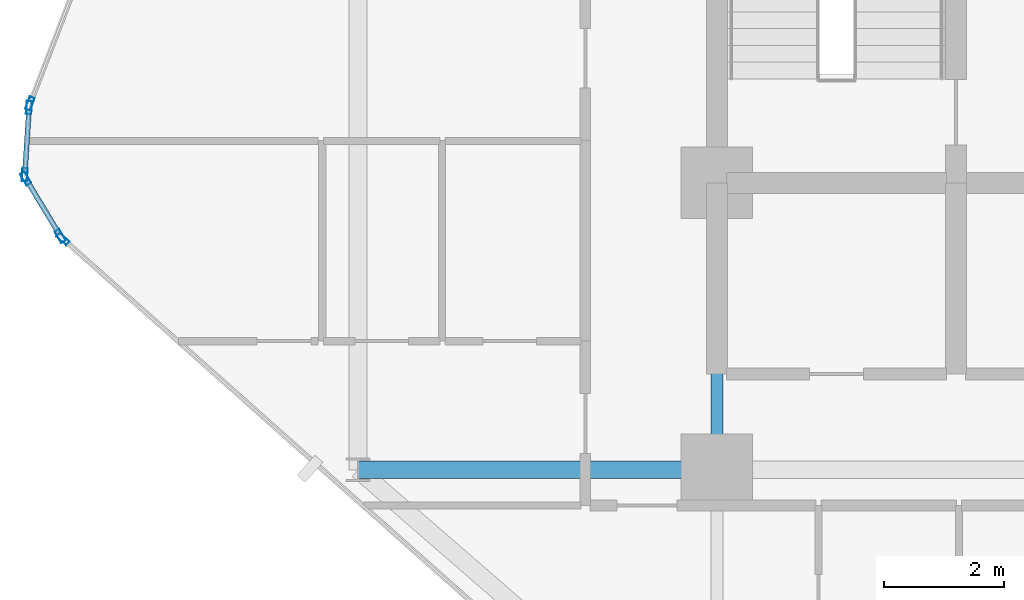
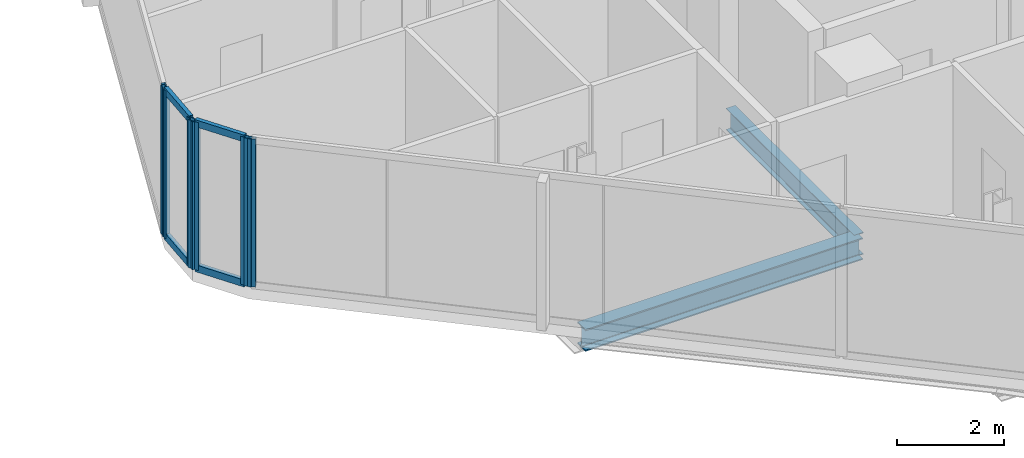
# One storey, part 6 of 34: 10 members, 2 beams, 4 elements without a shape of their own.
"""IFC4 building model written with IfcOpenShell, lengths in metres."""

from ifc_helpers import new_model, si_unit, direction, frame, origin, origin_2d, place, context, subcontext, project, spatial, hollow_rectangle, i_section, extrude, material, layer, layer_set, material_profile, profile_set, type_object, element, aggregate, save


model = new_model("IFC4")

# Units and contexts
model_context = context("Model", 3, precision=1e-05, world=origin(), true_north=direction((0.0, 1.0)))
body_context = subcontext(model_context, "Body", "Model", "MODEL_VIEW")
ifc_project = project(units=[si_unit("LENGTHUNIT", "METRE"), si_unit("AREAUNIT", "SQUARE_METRE"), si_unit("VOLUMEUNIT", "CUBIC_METRE"), si_unit("PLANEANGLEUNIT", "RADIAN"), si_unit("MASSUNIT", "GRAM", prefix="KILO")], contexts=[model_context])

# Site, building, storey
site_placement = place(None, origin())
site = spatial("IfcSite", under=ifc_project, at=site_placement, CompositionType="ELEMENT")
building_placement = place(site_placement, origin())
building = spatial("IfcBuilding", under=site, at=building_placement, Name="Keshet Zoharim Tower", CompositionType="ELEMENT")
storey_placement = place(building_placement, frame((0.0, 0.0, 53.60009765625)))
storey = spatial("IfcBuildingStorey", under=building, at=storey_placement, Name="L12", CompositionType="ELEMENT", Elevation=53.60009765625)

# Beams
ifc_material_1 = material(Name="Steel S355", Category="steel")
ifc_material_profile_1 = material_profile(ifc_material_1, i_section(OverallWidth=0.199951171875, OverallDepth=0.5, WebThickness=0.01025390625, FlangeThickness=0.01611328125, FilletRadius=0.02099609375, at=origin_2d()), Name="IPE500")
ifc_profile_set_1 = profile_set([ifc_material_profile_1], Name="Steel S355")
beam_type_1 = type_object("IfcBeamType", Name="BM-PRI-IP500", PredefinedType="BEAM", material=ifc_profile_set_1)
beam_1_placement = place(storey_placement, frame((15.0, 17.89990234375, -0.565185546875), z_axis=(0.0, 1.0, 0.0), x_axis=(-1.0, 0.0, 0.0)))
element("IfcBeam", 1, at=beam_1_placement, inside=storey, type_object=beam_type_1, Name="L12 Primary Girder Y-003", PredefinedType="BEAM", context=body_context, shape_type="SweptSolid", body=[
    extrude(i_section(OverallWidth=0.199951171875, OverallDepth=0.5, WebThickness=0.01025390625, FlangeThickness=0.01611328125, FilletRadius=0.02099609375, at=origin_2d()), origin(), (0.0, 0.0, 1.0), 4.800048828125),
])
ifc_material_profile_2 = material_profile(ifc_material_1, i_section(OverallWidth=0.300048828125, OverallDepth=0.5, WebThickness=0.014404296875, FlangeThickness=0.028076171875, FilletRadius=0.027099609375, at=origin_2d()), Name="HEB500")
ifc_profile_set_2 = profile_set([ifc_material_profile_2], Name="Steel S355")
beam_type_2 = type_object("IfcBeamType", Name="BM-WEB-HB500", PredefinedType="BEAM", material=ifc_profile_set_2)
beam_2_placement = place(storey_placement, frame((9.0, 17.89990234375, -0.565185546875), z_axis=(1.0, 0.0, 0.0), x_axis=(0.0, 1.0, 0.0)))
element("IfcBeam", 2, at=beam_2_placement, inside=storey, type_object=beam_type_2, Name="L12 Primary Girder X-015", PredefinedType="BEAM", context=body_context, shape_type="SweptSolid", body=[
    extrude(i_section(OverallWidth=0.300048828125, OverallDepth=0.5, WebThickness=0.014404296875, FlangeThickness=0.028076171875, FilletRadius=0.027099609375, at=origin_2d()), origin(), (0.0, 0.0, 1.0), 6.0),
])

# Curtain wall, member
ifc_material_2 = material(Name="Aluminium 6063-T6", Category="aluminium")
ifc_layer = layer(ifc_material_2, 0.179931640625)
ifc_layer_set = layer_set([ifc_layer], Name="Aluminium 6063-T6")
curtain_wall_type = type_object("IfcCurtainWallType", Name="CW-SYS-01", PredefinedType="NOTDEFINED", material=ifc_layer_set)
curtain_wall_1_placement = place(storey_placement, origin())
curtain_wall_1 = element("IfcCurtainWall", 3, at=curtain_wall_1_placement, inside=storey, type_object=curtain_wall_type, Name="L12 Unitised Curtain Wall 01", PredefinedType="NOTDEFINED")
ifc_material_profile_3 = material_profile(ifc_material_2, hollow_rectangle(XDim=0.090087890625, YDim=0.219970703125, WallThickness=0.0048828125, at=origin_2d()), Name="MUL-90x220")
ifc_profile_set_3 = profile_set([ifc_material_profile_3], Name="Aluminium 6063-T6")
member_type_1 = type_object("IfcMemberType", Name="CWM-M22", PredefinedType="MULLION", material=ifc_profile_set_3)
member_1_placement = place(storey_placement, frame((4.061279296875, 21.7568359375, 0.0), z_axis=(0.0, 0.0, 1.0), x_axis=(-0.664363838836, -0.747409318679, 0.0)))
member_1 = element("IfcMember", 4, at=member_1_placement, type_object=member_type_1, Name="CW-01 mullion 3", PredefinedType="MULLION", context=body_context, shape_type="SweptSolid", body=[
    extrude(hollow_rectangle(XDim=0.090087890625, YDim=0.219970703125, WallThickness=0.0048828125, at=origin_2d()), origin(), (0.0, 0.0, 1.0), 3.385009765625),
])
aggregate(curtain_wall_1, [member_1])

# Curtain wall, members
curtain_wall_2_placement = place(storey_placement, origin())
curtain_wall_2 = element("IfcCurtainWall", 5, at=curtain_wall_2_placement, inside=storey, type_object=curtain_wall_type, Name="L12 Unitised Curtain Wall 02", PredefinedType="NOTDEFINED")
member_2_placement = place(storey_placement, frame((4.016845703125, 21.81005859375, 0.0), z_axis=(0.0, 0.0, 1.0), x_axis=(-0.856826433805, -0.515604947933, 0.0)))
member_2 = element("IfcMember", 6, at=member_2_placement, type_object=member_type_1, Name="CW-01 mullion 1", PredefinedType="MULLION", context=body_context, shape_type="SweptSolid", body=[
    extrude(hollow_rectangle(XDim=0.090087890625, YDim=0.219970703125, WallThickness=0.0048828125, at=origin_2d()), origin(), (0.0, 0.0, 1.0), 3.385009765625),
])
member_3_placement = place(storey_placement, frame((3.43798828125, 22.77197265625, 0.0), z_axis=(0.0, 0.0, 1.0), x_axis=(-0.856826433805, -0.515604947933, 0.0)))
member_3 = element("IfcMember", 7, at=member_3_placement, type_object=member_type_1, Name="CW-01 mullion 2", PredefinedType="MULLION", context=body_context, shape_type="SweptSolid", body=[
    extrude(hollow_rectangle(XDim=0.090087890625, YDim=0.219970703125, WallThickness=0.0048828125, at=origin_2d()), origin(), (0.0, 0.0, 1.0), 3.385009765625),
])

curtain_wall_3_placement = place(storey_placement, origin())
curtain_wall_3 = element("IfcCurtainWall", 8, at=curtain_wall_3_placement, inside=storey, type_object=curtain_wall_type, Name="L12 Unitised Curtain Wall 03", PredefinedType="NOTDEFINED")
member_4_placement = place(storey_placement, frame((3.42236328125, 22.8369140625, 0.0), z_axis=(0.0, 0.0, 1.0), x_axis=(-0.997916617186, 0.064516859374, 0.0)))
member_4 = element("IfcMember", 9, at=member_4_placement, type_object=member_type_1, Name="CW-01 mullion 1", PredefinedType="MULLION", context=body_context, shape_type="SweptSolid", body=[
    extrude(hollow_rectangle(XDim=0.090087890625, YDim=0.219970703125, WallThickness=0.0048828125, at=origin_2d()), origin(), (0.0, 0.0, 1.0), 3.385009765625),
])
member_5_placement = place(storey_placement, frame((3.49462890625, 23.9580078125, 0.0), z_axis=(0.0, 0.0, 1.0), x_axis=(-0.997916617186, 0.064516859374, 0.0)))
member_5 = element("IfcMember", 10, at=member_5_placement, type_object=member_type_1, Name="CW-01 mullion 2", PredefinedType="MULLION", context=body_context, shape_type="SweptSolid", body=[
    extrude(hollow_rectangle(XDim=0.090087890625, YDim=0.219970703125, WallThickness=0.0048828125, at=origin_2d()), origin(), (0.0, 0.0, 1.0), 3.385009765625),
])

# Curtain wall, member
curtain_wall_4_placement = place(storey_placement, origin())
curtain_wall_4 = element("IfcCurtainWall", 11, at=curtain_wall_4_placement, inside=storey, type_object=curtain_wall_type, Name="L12 Unitised Curtain Wall 04", PredefinedType="NOTDEFINED")
member_6_placement = place(storey_placement, frame((3.509521484375, 24.025634765625, 0.0), z_axis=(0.0, 0.0, 1.0), x_axis=(-0.933341404361, 0.358990003907, 0.0)))
member_6 = element("IfcMember", 12, at=member_6_placement, type_object=member_type_1, Name="CW-01 mullion 1", PredefinedType="MULLION", context=body_context, shape_type="SweptSolid", body=[
    extrude(hollow_rectangle(XDim=0.090087890625, YDim=0.219970703125, WallThickness=0.0048828125, at=origin_2d()), origin(), (0.0, 0.0, 1.0), 3.385009765625),
])
aggregate(curtain_wall_4, [member_6])

# Member
ifc_material_profile_4 = material_profile(ifc_material_2, hollow_rectangle(XDim=0.0849609375, YDim=0.159912109375, WallThickness=0.00439453125, at=origin_2d()), Name="TRN-85x160")
ifc_profile_set_4 = profile_set([ifc_material_profile_4], Name="Aluminium 6063-T6")
member_type_2 = type_object("IfcMemberType", Name="CWT-T16", PredefinedType="USERDEFINED", material=ifc_profile_set_4)
member_7_placement = place(storey_placement, frame((3.9990234375, 21.840087890625, 0.034912109375), z_axis=(-0.515791194107, 0.856714330499, 0.0), x_axis=(-0.856714330499, -0.515791194107, 0.0)))
member_7 = element("IfcMember", 13, at=member_7_placement, type_object=member_type_2, Name="CW-01 transom 1.1", ObjectType="TRANSOM", PredefinedType="USERDEFINED", context=body_context, shape_type="SweptSolid", body=[
    extrude(hollow_rectangle(XDim=0.0849609375, YDim=0.159912109375, WallThickness=0.00439453125, at=origin_2d()), origin(), (0.0, 0.0, 1.0), 1.052734375),
])

member_8_placement = place(storey_placement, frame((3.9990234375, 21.840087890625, 3.349853515625), z_axis=(-0.515791194107, 0.856714330499, 0.0), x_axis=(-0.856714330499, -0.515791194107, 0.0)))
member_8 = element("IfcMember", 14, at=member_8_placement, type_object=member_type_2, Name="CW-01 transom 1.2", ObjectType="TRANSOM", PredefinedType="USERDEFINED", context=body_context, shape_type="SweptSolid", body=[
    extrude(hollow_rectangle(XDim=0.0849609375, YDim=0.159912109375, WallThickness=0.00439453125, at=origin_2d()), origin(), (0.0, 0.0, 1.0), 1.052734375),
])

aggregate(curtain_wall_2, [member_2, member_3, member_7, member_8])

member_9_placement = place(storey_placement, frame((3.424560546875, 22.871826171875, 0.034912109375), z_axis=(0.064426947155, 0.997922426083, 0.0), x_axis=(-0.997922426083, 0.064426947155, 0.0)))
member_9 = element("IfcMember", 15, at=member_9_placement, type_object=member_type_2, Name="CW-01 transom 1.1", ObjectType="TRANSOM", PredefinedType="USERDEFINED", context=body_context, shape_type="SweptSolid", body=[
    extrude(hollow_rectangle(XDim=0.0849609375, YDim=0.159912109375, WallThickness=0.00439453125, at=origin_2d()), origin(), (0.0, 0.0, 1.0), 1.053466796875),
])

member_10_placement = place(storey_placement, frame((3.424560546875, 22.871826171875, 3.349853515625), z_axis=(0.064426947155, 0.997922426083, 0.0), x_axis=(-0.997922426083, 0.064426947155, 0.0)))
member_10 = element("IfcMember", 16, at=member_10_placement, type_object=member_type_2, Name="CW-01 transom 1.2", ObjectType="TRANSOM", PredefinedType="USERDEFINED", context=body_context, shape_type="SweptSolid", body=[
    extrude(hollow_rectangle(XDim=0.0849609375, YDim=0.159912109375, WallThickness=0.00439453125, at=origin_2d()), origin(), (0.0, 0.0, 1.0), 1.053466796875),
])

aggregate(curtain_wall_3, [member_4, member_5, member_9, member_10])

save(model, "model.ifc")
